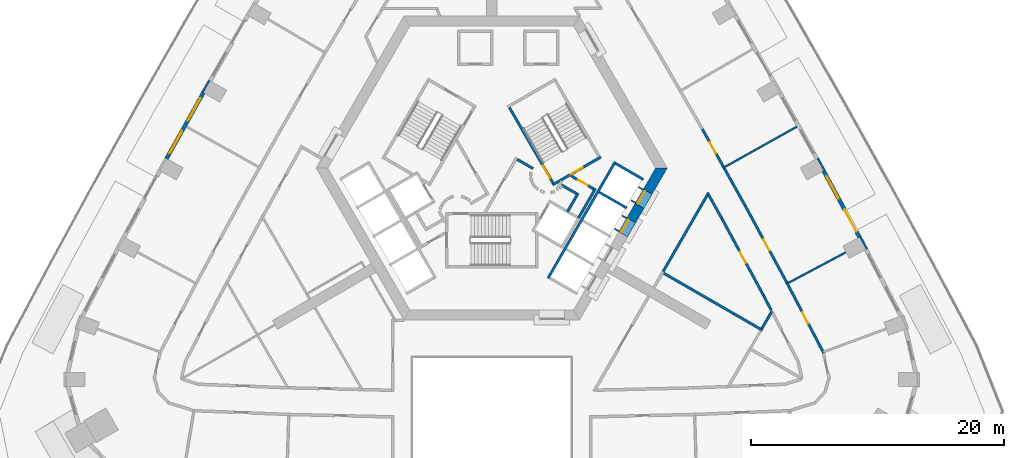
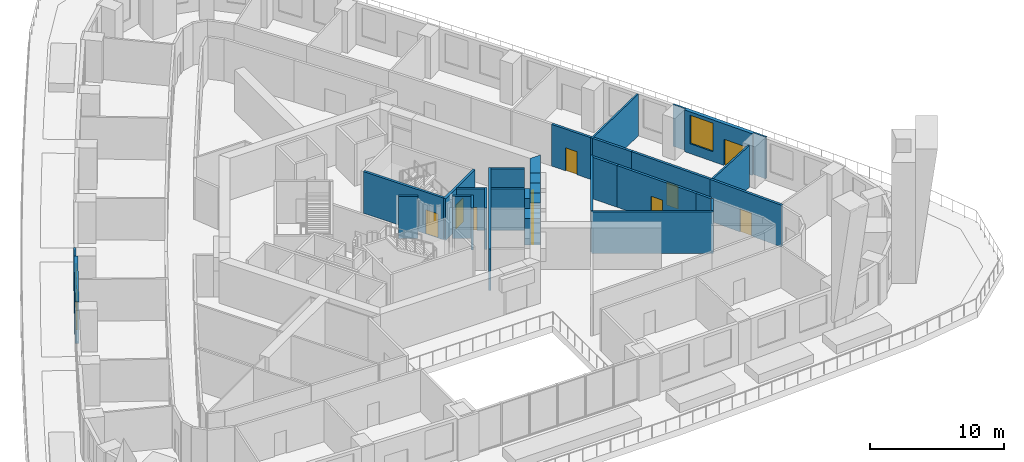
# One storey, part 8 of 16: 33 walls, 10 doors, 3 windows, 13 openings.
"""IFC4 building model written with IfcOpenShell, lengths in metres."""

from ifc_helpers import new_model, si_unit, direction, frame, frame_2d, origin, place, context, subcontext, project, spatial, polyline, rectangle, outline, extrude, material, layer, layer_set, type_object, element, fill, save


model = new_model("IFC4")

# Units and contexts
model_context = context("Model", 3, precision=1e-05, world=origin(), true_north=direction((0.0, 1.0)))
body_context = subcontext(model_context, "Body", "Model", "MODEL_VIEW")
ifc_project = project(units=[si_unit("LENGTHUNIT", "METRE"), si_unit("AREAUNIT", "SQUARE_METRE"), si_unit("VOLUMEUNIT", "CUBIC_METRE"), si_unit("PLANEANGLEUNIT", "RADIAN"), si_unit("MASSUNIT", "GRAM", prefix="KILO")], contexts=[model_context])

# Site, building, storey
site_placement = place(None, origin())
site = spatial("IfcSite", under=ifc_project, at=site_placement, CompositionType="ELEMENT")
building_placement = place(site_placement, origin())
building = spatial("IfcBuilding", under=site, at=building_placement, Name="Entoto Arch Interchange Tower", CompositionType="ELEMENT")
storey_placement = place(building_placement, frame((0.0, 0.0, 138.199951171875)))
storey = spatial("IfcBuildingStorey", under=building, at=storey_placement, Name="L30", CompositionType="ELEMENT", Elevation=138.199951171875)

# Walls
ifc_material_1 = material(Name="Concrete C50/60", Category="concrete")
ifc_layer_1 = layer(ifc_material_1, 0.800048828125)
ifc_layer_set_1 = layer_set([ifc_layer_1], Name="Concrete C50/60")
wall_type_1 = type_object("IfcWallType", Name="Core wall 800 C50/60", PredefinedType="SHEAR", material=ifc_layer_set_1)
wall_1_placement = place(storey_placement, frame((0.0, 0.0, -0.599853515625)))
element("IfcWall", 1, at=wall_1_placement, inside=storey, type_object=wall_type_1, Name="Core wall SE L30", PredefinedType="SHEAR", context=body_context, shape_type="SweptSolid", body=[
    extrude(outline(polyline([(12.01708984375, -0.68603515625), (11.323974609375, -0.285888671875), (10.675048828125, -1.410888671875), (11.366943359375, -1.81103515625), (12.01708984375, -0.68603515625)])), origin(), (0.0, 0.0, 1.0), 4.39990234375),
])
wall_2_placement = place(storey_placement, frame((0.0, 0.0, -0.599853515625)))
element("IfcWall", 2, at=wall_2_placement, inside=storey, type_object=wall_type_1, Name="Core wall SE L30", PredefinedType="SHEAR", context=body_context, shape_type="SweptSolid", body=[
    extrude(outline(polyline([(11.97412109375, 0.840087890625), (12.6669921875, 0.43994140625), (13.85595703125, 2.5), (12.93310546875, 2.5), (11.97412109375, 0.840087890625)])), origin(), (0.0, 0.0, 1.0), 4.39990234375),
])
wall_3_placement = place(storey_placement, frame((0.0, 0.0, 3.60009765625)))
element("IfcWall", 3, at=wall_3_placement, inside=storey, type_object=wall_type_1, Name="Core wall lintel SE L30", PredefinedType="SHEAR", context=body_context, shape_type="SweptSolid", body=[
    extrude(outline(polyline([(11.366943359375, -1.81103515625), (10.675048828125, -1.410888671875), (10.02490234375, -2.537109375), (10.717041015625, -2.93701171875), (11.366943359375, -1.81103515625)])), origin(), (0.0, 0.0, 1.0), 0.199951171875),
])
wall_4_placement = place(storey_placement, frame((0.0, 0.0, 3.60009765625)))
element("IfcWall", 4, at=wall_4_placement, inside=storey, type_object=wall_type_1, Name="Core wall lintel SE L30", PredefinedType="SHEAR", context=body_context, shape_type="SweptSolid", body=[
    extrude(outline(polyline([(12.6669921875, 0.43994140625), (11.97412109375, 0.840087890625), (11.323974609375, -0.285888671875), (12.01708984375, -0.68603515625), (12.6669921875, 0.43994140625)])), origin(), (0.0, 0.0, 1.0), 0.199951171875),
])

# Wall, opening, door
ifc_material_2 = material(Name="Concrete C40/50", Category="concrete")
ifc_layer_2 = layer(ifc_material_2, 1.199951171875)
ifc_layer_set_2 = layer_set([ifc_layer_2], Name="Concrete C40/50")
wall_type_2 = type_object("IfcWallType", Name="LIFT LANDING INFILL WALL", PredefinedType="STANDARD", material=ifc_layer_set_2)
wall_5_placement = place(storey_placement, frame((10.197998046875, -2.636962890625, 0.0), z_axis=(0.0, 0.0, 1.0), x_axis=(0.49989585183, 0.866085525409, 0.0)))
wall_5 = element("IfcWall", 5, at=wall_5_placement, inside=storey, type_object=wall_type_2, Name="Lift landing infill wall LR7 L30", PredefinedType="STANDARD", context=body_context, shape_type="SweptSolid", body=[
    extrude(rectangle(XDim=1.300048828125, YDim=1.199951171875, at=frame_2d((0.64990234375, 0.0))), origin(), (0.0, 0.0, 1.0), 2.400146484375),
])
opening_1_placement = place(wall_5_placement, frame((0.10009765625, 0.0, 0.0)))
opening_1 = element("IfcOpeningElement", 6, at=opening_1_placement, cuts=wall_5, Name="Opening LD-LR7-L30", PredefinedType="OPENING", context=body_context, shape_type="SweptSolid", body=[
    extrude(rectangle(XDim=1.10009765625, YDim=2.300048828125, at=frame_2d((0.550048828125, 1.14990234375))), frame((0.0, 0.60986328125, 0.0), z_axis=(0.0, -1.0, 0.0), x_axis=(1.0, 0.0, 0.0)), (0.0, 0.0, 1.0), 1.219970703125),
])
ifc_material_3 = material(Name="Stainless steel 1.4301 panels", Category="steel")
door_type_1 = type_object("IfcDoorType", Name="LIFT LANDING DOOR LD2 1100x2300", OperationType="SLIDING_TO_LEFT", PredefinedType="DOOR", material=ifc_material_3)
door_1_placement = place(opening_1_placement, origin())
door_1 = element("IfcDoor", 7, at=door_1_placement, inside=storey, type_object=door_type_1, Name="Lift landing door LR7 L30", OperationType="SLIDING_TO_LEFT", OverallHeight=2.300048828125, OverallWidth=1.10009765625, PredefinedType="DOOR", context=body_context, shape_type="SweptSolid", body=[
    extrude(rectangle(XDim=1.10009765625, YDim=2.300048828125, at=frame_2d((0.550048828125, 1.14990234375))), frame((0.0, 0.02490234375, 0.0), z_axis=(0.0, -1.0, 0.0), x_axis=(1.0, 0.0, 0.0)), (0.0, 0.0, 1.0), 0.050048828125),
])
fill(opening_1, door_1)

wall_6_placement = place(storey_placement, frame((11.498046875, -0.385009765625, 0.0), z_axis=(0.0, 0.0, 1.0), x_axis=(0.500221244143, 0.865897630733, 0.0)))
wall_6 = element("IfcWall", 8, at=wall_6_placement, inside=storey, type_object=wall_type_2, Name="Lift landing infill wall LR8 L30", PredefinedType="STANDARD", context=body_context, shape_type="SweptSolid", body=[
    extrude(rectangle(XDim=1.29931640625, YDim=1.199951171875, at=frame_2d((0.649658203125, 0.0))), origin(), (0.0, 0.0, 1.0), 2.400146484375),
])
opening_2_placement = place(wall_6_placement, frame((0.10009765625, 0.0, 0.0)))
opening_2 = element("IfcOpeningElement", 9, at=opening_2_placement, cuts=wall_6, Name="Opening LD-LR8-L30", PredefinedType="OPENING", context=body_context, shape_type="SweptSolid", body=[
    extrude(rectangle(XDim=1.10009765625, YDim=2.300048828125, at=frame_2d((0.550048828125, 1.14990234375))), frame((0.0, 0.60986328125, 0.0), z_axis=(0.0, -1.0, 0.0), x_axis=(1.0, 0.0, 0.0)), (0.0, 0.0, 1.0), 1.219970703125),
])
door_2_placement = place(opening_2_placement, origin())
door_2 = element("IfcDoor", 10, at=door_2_placement, inside=storey, type_object=door_type_1, Name="Lift landing door LR8 L30", OperationType="SLIDING_TO_LEFT", OverallHeight=2.300048828125, OverallWidth=1.10009765625, PredefinedType="DOOR", context=body_context, shape_type="SweptSolid", body=[
    extrude(rectangle(XDim=1.10009765625, YDim=2.300048828125, at=frame_2d((0.550048828125, 1.14990234375))), frame((0.0, 0.02490234375, 0.0), z_axis=(0.0, -1.0, 0.0), x_axis=(1.0, 0.0, 0.0)), (0.0, 0.0, 1.0), 0.050048828125),
])
fill(opening_2, door_2)

# Walls
ifc_layer_3 = layer(ifc_material_2, 0.199951171875)
ifc_layer_set_3 = layer_set([ifc_layer_3], Name="Concrete C40/50")
wall_type_3 = type_object("IfcWallType", Name="LIFT SHAFT WALL 200", PredefinedType="STANDARD", material=ifc_layer_set_3)
wall_7_placement = place(storey_placement, frame((4.450927734375, -6.18994140625, 0.0), z_axis=(0.0, 0.0, 1.0), x_axis=(0.50000090737, 0.866024879913, 0.0)))
element("IfcWall", 11, at=wall_7_placement, inside=storey, type_object=wall_type_3, Name="Shaft wall SE3 front", PredefinedType="STANDARD", context=body_context, shape_type="SweptSolid", body=[
    extrude(rectangle(XDim=10.60009765625, YDim=0.199951171875, at=frame_2d((5.300048828125, 0.0))), origin(), (0.0, 0.0, 1.0), 3.800048828125),
])
wall_8_placement = place(storey_placement, frame((8.488037109375, 0.60205078125, 0.0), z_axis=(0.0, 0.0, 1.0), x_axis=(0.866022959057, -0.500004234368, 0.0)))
element("IfcWall", 12, at=wall_8_placement, inside=storey, type_object=wall_type_3, Name="Shaft wall SE3 cross 4", PredefinedType="STANDARD", context=body_context, shape_type="SweptSolid", body=[
    extrude(rectangle(XDim=2.5, YDim=0.199951171875, at=frame_2d((1.25, 0.0))), origin(), (0.0, 0.0, 1.0), 3.800048828125),
])
wall_9_placement = place(storey_placement, frame((9.7880859375, 2.85302734375, 0.0), z_axis=(0.0, 0.0, 1.0), x_axis=(0.865998541277, -0.500046524342, 0.0)))
element("IfcWall", 13, at=wall_9_placement, inside=storey, type_object=wall_type_3, Name="Shaft wall SE3 cross 5", PredefinedType="STANDARD", context=body_context, shape_type="SweptSolid", body=[
    extrude(rectangle(XDim=2.499755859375, YDim=0.199951171875, at=frame_2d((1.25, 0.0))), origin(), (0.0, 0.0, 1.0), 3.800048828125),
])
ifc_material_4 = material(Name="Gypsum board partition on steel studs", Category="steel")
ifc_layer_4 = layer(ifc_material_4, 0.14990234375)
ifc_layer_set_4 = layer_set([ifc_layer_4], Name="Gypsum board partition on steel studs")
wall_type_4 = type_object("IfcWallType", Name="PARTITION 150", PredefinedType="PARTITIONING", material=ifc_layer_set_4)
wall_10_placement = place(storey_placement, frame((23.4169921875, -6.56005859375, 0.0), z_axis=(0.0, 0.0, 1.0), x_axis=(0.882784638588, 0.469777906967, 0.0)))
element("IfcWall", 14, at=wall_10_placement, inside=storey, type_object=wall_type_4, Name="wall:L30:p126", PredefinedType="PARTITIONING", context=body_context, shape_type="SweptSolid", body=[
    extrude(rectangle(XDim=5.13037109375, YDim=0.14990234375, at=frame_2d((2.565185546875, 0.0))), origin(), (0.0, 0.0, 1.0), 3.800048828125),
])
wall_11_placement = place(storey_placement, frame((18.23388671875, 2.4970703125, 0.0), z_axis=(0.0, 0.0, 1.0), x_axis=(0.872820235044, 0.4880418397, 0.0)))
element("IfcWall", 15, at=wall_11_placement, inside=storey, type_object=wall_type_4, Name="wall:L30:p127", PredefinedType="PARTITIONING", context=body_context, shape_type="SweptSolid", body=[
    extrude(rectangle(XDim=6.7001953125, YDim=0.14990234375, at=frame_2d((3.35009765625, 0.0))), origin(), (0.0, 0.0, 1.0), 3.800048828125),
])
ifc_layer_5 = layer(ifc_material_4, 0.199951171875)
ifc_layer_set_5 = layer_set([ifc_layer_5], Name="Gypsum board partition on steel studs")
wall_type_5 = type_object("IfcWallType", Name="PARTITION 200", PredefinedType="PARTITIONING", material=ifc_layer_set_5)
wall_12_placement = place(storey_placement, frame((22.06298828125, -8.717041015625, 0.0), z_axis=(0.0, 0.0, 1.0), x_axis=(-0.463776683525, 0.885952136302, 0.0)))
element("IfcWall", 16, at=wall_12_placement, inside=storey, type_object=wall_type_5, Name="wall:L30:p015", PredefinedType="PARTITIONING", context=body_context, shape_type="SweptSolid", body=[
    extrude(rectangle(XDim=1.267578125, YDim=0.199951171875, at=frame_2d((0.6337890625, 0.0))), origin(), (0.0, 0.0, 1.0), 3.800048828125),
])

# Wall, opening, door
wall_13_placement = place(storey_placement, frame((21.47509765625, -7.593994140625, 0.0), z_axis=(0.0, 0.0, 1.0), x_axis=(-0.475918691018, 0.879489283357, 0.0)))
wall_13 = element("IfcWall", 17, at=wall_13_placement, inside=storey, type_object=wall_type_5, Name="wall:L30:p016", PredefinedType="PARTITIONING", context=body_context, shape_type="SweptSolid", body=[
    extrude(rectangle(XDim=6.927978515625, YDim=0.199951171875, at=frame_2d((3.4638671875, 0.0))), origin(), (0.0, 0.0, 1.0), 3.800048828125),
])
opening_3_placement = place(wall_13_placement, frame((2.964111328125, 0.0, 0.0)))
opening_3 = element("IfcOpeningElement", 18, at=opening_3_placement, cuts=wall_13, Name="Opening L30-D20", PredefinedType="OPENING", context=body_context, shape_type="SweptSolid", body=[
    extrude(rectangle(XDim=1.0, YDim=2.10009765625, at=frame_2d((0.5, 1.050048828125))), frame((0.0, 0.10986328125, 0.0), z_axis=(0.0, -1.0, 0.0), x_axis=(1.0, 0.0, 0.0)), (0.0, 0.0, 1.0), 0.219970703125),
])
ifc_material_5 = material(Name="Timber door leaf in Steel S235 frame", Category="steel")
door_type_2 = type_object("IfcDoorType", Name="DOOR DS-10 1000x2100", OperationType="SINGLE_SWING_LEFT", PredefinedType="DOOR", material=ifc_material_5)
door_3_placement = place(opening_3_placement, origin())
door_3 = element("IfcDoor", 19, at=door_3_placement, inside=storey, type_object=door_type_2, Name="door:L30:20", OperationType="SINGLE_SWING_LEFT", OverallHeight=2.10009765625, OverallWidth=1.0, PredefinedType="DOOR", context=body_context, shape_type="SweptSolid", body=[
    extrude(rectangle(XDim=1.0, YDim=2.10009765625, at=frame_2d((0.5, 1.050048828125))), frame((0.0, 0.02490234375, 0.0), z_axis=(0.0, -1.0, 0.0), x_axis=(1.0, 0.0, 0.0)), (0.0, 0.0, 1.0), 0.050048828125),
])
fill(opening_3, door_3)

# Wall
wall_14_placement = place(storey_placement, frame((18.177978515625, -1.5009765625, 0.0), z_axis=(0.0, 0.0, 1.0), x_axis=(-0.487980809747, 0.872854357449, 0.0)))
element("IfcWall", 20, at=wall_14_placement, inside=storey, type_object=wall_type_5, Name="wall:L30:p017", PredefinedType="PARTITIONING", context=body_context, shape_type="SweptSolid", body=[
    extrude(rectangle(XDim=2.161865234375, YDim=0.199951171875, at=frame_2d((1.0810546875, 0.0))), origin(), (0.0, 0.0, 1.0), 3.800048828125),
])

# Wall, opening, door
wall_15_placement = place(storey_placement, frame((23.2939453125, -6.541015625, 0.0), z_axis=(0.0, 0.0, 1.0), x_axis=(0.463802391881, -0.885938678062, 0.0)))
wall_15 = element("IfcWall", 21, at=wall_15_placement, inside=storey, type_object=wall_type_5, Name="wall:L30:p038", PredefinedType="PARTITIONING", context=body_context, shape_type="SweptSolid", body=[
    extrude(rectangle(XDim=6.287109375, YDim=0.199951171875, at=frame_2d((3.1435546875, 0.0))), origin(), (0.0, 0.0, 1.0), 3.800048828125),
])
opening_4_placement = place(wall_15_placement, frame((2.64404296875, 0.0, 0.0)))
opening_4 = element("IfcOpeningElement", 22, at=opening_4_placement, cuts=wall_15, Name="Opening L30-D04", PredefinedType="OPENING", context=body_context, shape_type="SweptSolid", body=[
    extrude(rectangle(XDim=1.0, YDim=2.10009765625, at=frame_2d((0.5, 1.050048828125))), frame((0.0, 0.10986328125, 0.0), z_axis=(0.0, -1.0, 0.0), x_axis=(1.0, 0.0, 0.0)), (0.0, 0.0, 1.0), 0.219970703125),
])
door_4_placement = place(opening_4_placement, origin())
door_4 = element("IfcDoor", 23, at=door_4_placement, inside=storey, type_object=door_type_2, Name="door:L30:04", OperationType="SINGLE_SWING_LEFT", OverallHeight=2.10009765625, OverallWidth=1.0, PredefinedType="DOOR", context=body_context, shape_type="SweptSolid", body=[
    extrude(rectangle(XDim=1.0, YDim=2.10009765625, at=frame_2d((0.5, 1.050048828125))), frame((0.0, 0.02490234375, 0.0), z_axis=(0.0, -1.0, 0.0), x_axis=(1.0, 0.0, 0.0)), (0.0, 0.0, 1.0), 0.050048828125),
])
fill(opening_4, door_4)

# Wall
wall_16_placement = place(storey_placement, frame((18.35791015625, 2.48095703125, 0.0), z_axis=(0.0, 0.0, 1.0), x_axis=(0.48792588674, -0.872885060617, 0.0)))
element("IfcWall", 24, at=wall_16_placement, inside=storey, type_object=wall_type_5, Name="wall:L30:p039", PredefinedType="PARTITIONING", context=body_context, shape_type="SweptSolid", body=[
    extrude(rectangle(XDim=3.402587890625, YDim=0.199951171875, at=frame_2d((1.701171875, 0.0))), origin(), (0.0, 0.0, 1.0), 3.800048828125),
])

# Wall, opening, door
wall_17_placement = place(storey_placement, frame((20.01806640625, -0.489013671875, 0.0), z_axis=(0.0, 0.0, 1.0), x_axis=(0.476025981828, -0.87943121654, 0.0)))
wall_17 = element("IfcWall", 25, at=wall_17_placement, inside=storey, type_object=wall_type_5, Name="wall:L30:p040", PredefinedType="PARTITIONING", context=body_context, shape_type="SweptSolid", body=[
    extrude(rectangle(XDim=6.8818359375, YDim=0.199951171875, at=frame_2d((3.44091796875, 0.0))), origin(), (0.0, 0.0, 1.0), 3.800048828125),
])
opening_5_placement = place(wall_17_placement, frame((3.01611328125, 0.0, 0.0)))
opening_5 = element("IfcOpeningElement", 26, at=opening_5_placement, cuts=wall_17, Name="Opening L30-D05", PredefinedType="OPENING", context=body_context, shape_type="SweptSolid", body=[
    extrude(rectangle(XDim=1.0, YDim=2.10009765625, at=frame_2d((0.5, 1.050048828125))), frame((0.0, 0.10986328125, 0.0), z_axis=(0.0, -1.0, 0.0), x_axis=(1.0, 0.0, 0.0)), (0.0, 0.0, 1.0), 0.219970703125),
])
door_5_placement = place(opening_5_placement, origin())
door_5 = element("IfcDoor", 27, at=door_5_placement, inside=storey, type_object=door_type_2, Name="door:L30:05", OperationType="SINGLE_SWING_LEFT", OverallHeight=2.10009765625, OverallWidth=1.0, PredefinedType="DOOR", context=body_context, shape_type="SweptSolid", body=[
    extrude(rectangle(XDim=1.0, YDim=2.10009765625, at=frame_2d((0.5, 1.050048828125))), frame((0.0, 0.02490234375, 0.0), z_axis=(0.0, -1.0, 0.0), x_axis=(1.0, 0.0, 0.0)), (0.0, 0.0, 1.0), 0.050048828125),
])
fill(opening_5, door_5)

wall_18_placement = place(storey_placement, frame((16.6240234375, 5.58203125, 0.0), z_axis=(0.0, 0.0, 1.0), x_axis=(0.487871212611, -0.872915620152, 0.0)))
wall_18 = element("IfcWall", 28, at=wall_18_placement, inside=storey, type_object=wall_type_5, Name="wall:L30:p042", PredefinedType="PARTITIONING", context=body_context, shape_type="SweptSolid", body=[
    extrude(rectangle(XDim=3.40234375, YDim=0.199951171875, at=frame_2d((1.701171875, 0.0))), origin(), (0.0, 0.0, 1.0), 3.800048828125),
])
opening_6_placement = place(wall_18_placement, frame((1.201904296875, 0.0, 0.0)))
opening_6 = element("IfcOpeningElement", 29, at=opening_6_placement, cuts=wall_18, Name="Opening L30-D06", PredefinedType="OPENING", context=body_context, shape_type="SweptSolid", body=[
    extrude(rectangle(XDim=1.0, YDim=2.10009765625, at=frame_2d((0.5, 1.050048828125))), frame((0.0, 0.10986328125, 0.0), z_axis=(0.0, -1.0, 0.0), x_axis=(1.0, 0.0, 0.0)), (0.0, 0.0, 1.0), 0.219970703125),
])
door_6_placement = place(opening_6_placement, origin())
door_6 = element("IfcDoor", 30, at=door_6_placement, inside=storey, type_object=door_type_2, Name="door:L30:06", OperationType="SINGLE_SWING_LEFT", OverallHeight=2.10009765625, OverallWidth=1.0, PredefinedType="DOOR", context=body_context, shape_type="SweptSolid", body=[
    extrude(rectangle(XDim=1.0, YDim=2.10009765625, at=frame_2d((0.5, 1.050048828125))), frame((0.0, 0.02490234375, 0.0), z_axis=(0.0, -1.0, 0.0), x_axis=(1.0, 0.0, 0.0)), (0.0, 0.0, 1.0), 0.050048828125),
])
fill(opening_6, door_6)

# Walls
wall_19_placement = place(storey_placement, frame((5.4990234375, 1.172119140625, 0.0), z_axis=(0.0, 0.0, 1.0), x_axis=(0.866333505267, -0.499465972466, 0.0)))
element("IfcWall", 31, at=wall_19_placement, inside=storey, type_object=wall_type_5, Name="wall:L30:p075", PredefinedType="PARTITIONING", context=body_context, shape_type="SweptSolid", body=[
    extrude(rectangle(XDim=1.37353515625, YDim=0.199951171875, at=frame_2d((0.686767578125, 0.0))), origin(), (0.0, 0.0, 1.0), 3.800048828125),
])
wall_20_placement = place(storey_placement, frame((6.825927734375, 0.52197265625, 0.0), z_axis=(0.0, 0.0, 1.0), x_axis=(-0.500016722714, -0.866015748706, 0.0)))
element("IfcWall", 32, at=wall_20_placement, inside=storey, type_object=wall_type_5, Name="wall:L30:p076", PredefinedType="PARTITIONING", context=body_context, shape_type="SweptSolid", body=[
    extrude(rectangle(XDim=1.69970703125, YDim=0.199951171875, at=frame_2d((0.849853515625, 0.0))), origin(), (0.0, 0.0, 1.0), 3.800048828125),
])

# Wall, opening, door
wall_21_placement = place(storey_placement, frame((6.25, 1.89404296875, 0.0), z_axis=(0.0, 0.0, 1.0), x_axis=(0.866043184279, -0.499969202016, 0.0)))
wall_21 = element("IfcWall", 33, at=wall_21_placement, inside=storey, type_object=wall_type_5, Name="wall:L30:p077", PredefinedType="PARTITIONING", context=body_context, shape_type="SweptSolid", body=[
    extrude(rectangle(XDim=2.084228515625, YDim=0.199951171875, at=frame_2d((1.0419921875, 0.0))), origin(), (0.0, 0.0, 1.0), 3.800048828125),
])
opening_7_placement = place(wall_21_placement, frame((0.64208984375, 0.0, 0.0)))
opening_7 = element("IfcOpeningElement", 34, at=opening_7_placement, cuts=wall_21, Name="Opening L30-D35", PredefinedType="OPENING", context=body_context, shape_type="SweptSolid", body=[
    extrude(rectangle(XDim=0.89990234375, YDim=2.10009765625, at=frame_2d((0.449951171875, 1.050048828125))), frame((0.0, 0.10986328125, 0.0), z_axis=(0.0, -1.0, 0.0), x_axis=(1.0, 0.0, 0.0)), (0.0, 0.0, 1.0), 0.219970703125),
])
door_type_3 = type_object("IfcDoorType", Name="DOOR DS-09 900x2100", OperationType="SINGLE_SWING_LEFT", PredefinedType="DOOR", material=ifc_material_5)
door_7_placement = place(opening_7_placement, origin())
door_7 = element("IfcDoor", 35, at=door_7_placement, inside=storey, type_object=door_type_3, Name="door:L30:35", OperationType="SINGLE_SWING_LEFT", OverallHeight=2.10009765625, OverallWidth=0.89990234375, PredefinedType="DOOR", context=body_context, shape_type="SweptSolid", body=[
    extrude(rectangle(XDim=0.89990234375, YDim=2.10009765625, at=frame_2d((0.449951171875, 1.050048828125))), frame((0.0, 0.02490234375, 0.0), z_axis=(0.0, -1.0, 0.0), x_axis=(1.0, 0.0, 0.0)), (0.0, 0.0, 1.0), 0.050048828125),
])
fill(opening_7, door_7)

# Walls
wall_22_placement = place(storey_placement, frame((8.19189453125, 0.887939453125, 0.0), z_axis=(0.0, 0.0, 1.0), x_axis=(-0.499940625693, -0.866059680843, 0.0)))
element("IfcWall", 36, at=wall_22_placement, inside=storey, type_object=wall_type_5, Name="wall:L30:p078", PredefinedType="PARTITIONING", context=body_context, shape_type="SweptSolid", body=[
    extrude(rectangle(XDim=2.679931640625, YDim=0.199951171875, at=frame_2d((1.33984375, 0.0))), origin(), (0.0, 0.0, 1.0), 3.800048828125),
])
wall_23_placement = place(storey_placement, frame((2.011962890625, 3.18603515625, 0.0), z_axis=(0.0, 0.0, 1.0), x_axis=(0.865891012941, -0.500232699559, 0.0)))
element("IfcWall", 37, at=wall_23_placement, inside=storey, type_object=wall_type_5, Name="wall:L30:p088", PredefinedType="PARTITIONING", context=body_context, shape_type="SweptSolid", body=[
    extrude(rectangle(XDim=1.449462890625, YDim=0.199951171875, at=frame_2d((0.724609375, 0.0))), origin(), (0.0, 0.0, 1.0), 3.800048828125),
])
wall_24_placement = place(storey_placement, frame((17.1240234375, 0.56005859375, 0.0), z_axis=(0.0, 0.0, 1.0), x_axis=(-0.49996876383, -0.866043437245, 0.0)))
element("IfcWall", 38, at=wall_24_placement, inside=storey, type_object=wall_type_5, Name="wall:L30:p108", PredefinedType="PARTITIONING", context=body_context, shape_type="SweptSolid", body=[
    extrude(rectangle(XDim=7.1787109375, YDim=0.199951171875, at=frame_2d((3.58935546875, 0.0))), origin(), (0.0, 0.0, 1.0), 3.800048828125),
])
wall_25_placement = place(storey_placement, frame((13.485107421875, -5.743896484375, 0.0), z_axis=(0.0, 0.0, 1.0), x_axis=(0.865950545648, -0.500129635687, 0.0)))
element("IfcWall", 39, at=wall_25_placement, inside=storey, type_object=wall_type_5, Name="wall:L30:p109", PredefinedType="PARTITIONING", context=body_context, shape_type="SweptSolid", body=[
    extrude(rectangle(XDim=9.099609375, YDim=0.199951171875, at=frame_2d((4.5498046875, 0.0))), origin(), (0.0, 0.0, 1.0), 3.800048828125),
])
wall_26_placement = place(storey_placement, frame((22.10888671875, -8.804931640625, 0.0), z_axis=(0.0, 0.0, 1.0), x_axis=(-0.499920861661, -0.866071089505, 0.0)))
element("IfcWall", 40, at=wall_26_placement, inside=storey, type_object=wall_type_5, Name="wall:L30:p112", PredefinedType="PARTITIONING", context=body_context, shape_type="SweptSolid", body=[
    extrude(rectangle(XDim=1.562255859375, YDim=0.199951171875, at=frame_2d((0.78125, 0.0))), origin(), (0.0, 0.0, 1.0), 3.800048828125),
])

# Wall, opening, door
ifc_layer_6 = layer(ifc_material_2, 0.199951171875)
ifc_layer_set_6 = layer_set([ifc_layer_6], Name="Concrete C40/50")
wall_type_6 = type_object("IfcWallType", Name="STAIR ENCLOSURE WALL 200", PredefinedType="STANDARD", material=ifc_layer_set_6)
wall_27_placement = place(storey_placement, frame((4.805908203125, 1.176025390625, 0.0), z_axis=(0.0, 0.0, 1.0), x_axis=(0.866059941101, 0.499940174841, 0.0)))
wall_27 = element("IfcWall", 41, at=wall_27_placement, inside=storey, type_object=wall_type_6, Name="Stair wall ST-NE near", PredefinedType="STANDARD", context=body_context, shape_type="SweptSolid", body=[
    extrude(rectangle(XDim=4.400390625, YDim=0.199951171875, at=frame_2d((2.2001953125, 0.0))), origin(), (0.0, 0.0, 1.0), 3.800048828125),
])
opening_8_placement = place(wall_27_placement, frame((1.64990234375, 0.0, 0.0)))
opening_8 = element("IfcOpeningElement", 42, at=opening_8_placement, cuts=wall_27, Name="Opening SD-ST-NE-L30-E", PredefinedType="OPENING", context=body_context, shape_type="SweptSolid", body=[
    extrude(rectangle(XDim=1.10009765625, YDim=2.199951171875, at=frame_2d((0.550048828125, 1.10009765625))), frame((0.0, 0.10986328125, 0.0), z_axis=(0.0, -1.0, 0.0), x_axis=(1.0, 0.0, 0.0)), (0.0, 0.0, 1.0), 0.219970703125),
])
ifc_material_6 = material(Name="Steel S235", Category="steel")
door_type_4 = type_object("IfcDoorType", Name="STAIR DOOR SD1 1100x2200", OperationType="SINGLE_SWING_LEFT", PredefinedType="DOOR", material=ifc_material_6)
door_8_placement = place(opening_8_placement, origin())
door_8 = element("IfcDoor", 43, at=door_8_placement, inside=storey, type_object=door_type_4, Name="Stair door ST-NE L30 end", OperationType="SINGLE_SWING_LEFT", OverallHeight=2.199951171875, OverallWidth=1.10009765625, PredefinedType="DOOR", context=body_context, shape_type="SweptSolid", body=[
    extrude(rectangle(XDim=1.10009765625, YDim=2.199951171875, at=frame_2d((0.550048828125, 1.10009765625))), frame((0.0, 0.02490234375, 0.0), z_axis=(0.0, -1.0, 0.0), x_axis=(1.0, 0.0, 0.0)), (0.0, 0.0, 1.0), 0.050048828125),
])
fill(opening_8, door_8)

wall_28_placement = place(storey_placement, frame((4.843017578125, 1.31201171875, 0.0), z_axis=(0.0, 0.0, 1.0), x_axis=(-0.499963383562, 0.866046543262, 0.0)))
wall_28 = element("IfcWall", 44, at=wall_28_placement, inside=storey, type_object=wall_type_6, Name="Stair wall ST-NE hall", PredefinedType="STANDARD", context=body_context, shape_type="SweptSolid", body=[
    extrude(rectangle(XDim=6.900390625, YDim=0.199951171875, at=frame_2d((3.4501953125, 0.0))), origin(), (0.0, 0.0, 1.0), 3.800048828125),
])
opening_9_placement = place(wall_28_placement, frame((0.449951171875, 0.0, 0.0)))
opening_9 = element("IfcOpeningElement", 45, at=opening_9_placement, cuts=wall_28, Name="Opening SD-ST-NE-L30", PredefinedType="OPENING", context=body_context, shape_type="SweptSolid", body=[
    extrude(rectangle(XDim=1.10009765625, YDim=2.199951171875, at=frame_2d((0.550048828125, 1.10009765625))), frame((0.0, 0.10986328125, 0.0), z_axis=(0.0, -1.0, 0.0), x_axis=(1.0, 0.0, 0.0)), (0.0, 0.0, 1.0), 0.219970703125),
])
door_9_placement = place(opening_9_placement, origin())
door_9 = element("IfcDoor", 46, at=door_9_placement, inside=storey, type_object=door_type_4, Name="Stair door ST-NE L30", OperationType="SINGLE_SWING_LEFT", OverallHeight=2.199951171875, OverallWidth=1.10009765625, PredefinedType="DOOR", context=body_context, shape_type="SweptSolid", body=[
    extrude(rectangle(XDim=1.10009765625, YDim=2.199951171875, at=frame_2d((0.550048828125, 1.10009765625))), frame((0.0, 0.02490234375, 0.0), z_axis=(0.0, -1.0, 0.0), x_axis=(1.0, 0.0, 0.0)), (0.0, 0.0, 1.0), 0.050048828125),
])
fill(opening_9, door_9)

# Wall, openings, door, window
ifc_material_7 = material(Name="Welded tuff (ignimbrite) cladding, warm buff", Category="masonry")
ifc_layer_7 = layer(ifc_material_7, 0.300048828125)
ifc_layer_set_7 = layer_set([ifc_layer_7], Name="Welded tuff (ignimbrite) cladding, warm buff")
wall_type_7 = type_object("IfcWallType", Name="STONE INFILL WALL 300", PredefinedType="STANDARD", material=ifc_layer_set_7)
wall_29_placement = place(storey_placement, frame((29.02587890625, -2.952880859375, 0.0), z_axis=(0.0, 0.0, 1.0), x_axis=(-0.475794135288, 0.87955667289, 0.0)))
wall_29 = element("IfcWall", 47, at=wall_29_placement, inside=storey, type_object=wall_type_7, Name="Facade wall NE-02 L30", PredefinedType="STANDARD", context=body_context, shape_type="SweptSolid", body=[
    extrude(rectangle(XDim=5.95166015625, YDim=0.300048828125, at=frame_2d((2.975830078125, 0.0))), origin(), (0.0, 0.0, 1.0), 3.800048828125),
])
opening_10_placement = place(wall_29_placement, frame((0.488037109375, 0.0, 0.0)))
opening_10 = element("IfcOpeningElement", 48, at=opening_10_placement, cuts=wall_29, Name="Opening DT-NE-02-L30", PredefinedType="OPENING", context=body_context, shape_type="SweptSolid", body=[
    extrude(rectangle(XDim=2.0, YDim=2.39990234375, at=frame_2d((1.0, 1.199951171875))), frame((0.0, 0.16015625, 0.0), z_axis=(0.0, -1.0, 0.0), x_axis=(1.0, 0.0, 0.0)), (0.0, 0.0, 1.0), 0.320068359375),
])
opening_11_placement = place(wall_29_placement, frame((3.464111328125, 0.0, 0.89990234375)))
opening_11 = element("IfcOpeningElement", 49, at=opening_11_placement, cuts=wall_29, Name="Opening WO-C", PredefinedType="OPENING", context=body_context, shape_type="SweptSolid", body=[
    extrude(rectangle(XDim=2.0, YDim=2.60009765625, at=frame_2d((1.0, 1.300048828125))), frame((0.0, 0.16015625, 0.0), z_axis=(0.0, -1.0, 0.0), x_axis=(1.0, 0.0, 0.0)), (0.0, 0.0, 1.0), 0.320068359375),
])
ifc_material_8 = material(Name="Aluminium and clear glass, anodised", Category="aluminium")
door_type_5 = type_object("IfcDoorType", Name="TERRACE DOOR DT 2000x2400", OperationType="SLIDING_TO_LEFT", PredefinedType="DOOR", material=ifc_material_8)
door_10_placement = place(opening_10_placement, origin())
door_10 = element("IfcDoor", 50, at=door_10_placement, inside=storey, type_object=door_type_5, Name="Terrace door NE-02 L30", OperationType="SLIDING_TO_LEFT", OverallHeight=2.39990234375, OverallWidth=2.0, PredefinedType="DOOR", context=body_context, shape_type="SweptSolid", body=[
    extrude(rectangle(XDim=2.0, YDim=2.39990234375, at=frame_2d((1.0, 1.199951171875))), frame((0.0, 0.02490234375, 0.0), z_axis=(0.0, -1.0, 0.0), x_axis=(1.0, 0.0, 0.0)), (0.0, 0.0, 1.0), 0.050048828125),
])
fill(opening_10, door_10)
ifc_material_9 = material(Name="Clear glass, low-e double glazed", Category="glass")
window_type = type_object("IfcWindowType", Name="WINDOW WO-C 2000x2600", PartitioningType="DOUBLE_PANEL_VERTICAL", PredefinedType="WINDOW", material=ifc_material_9)
window_1_placement = place(opening_11_placement, origin())
window_1 = element("IfcWindow", 51, at=window_1_placement, inside=storey, type_object=window_type, Name="Window WO-C NE-02 L30", OverallHeight=2.60009765625, OverallWidth=2.0, PartitioningType="SINGLE_PANEL", PredefinedType="WINDOW", context=body_context, shape_type="SweptSolid", body=[
    extrude(rectangle(XDim=2.0, YDim=2.60009765625, at=frame_2d((1.0, 1.300048828125))), frame((0.0, 0.030029296875, 0.0), z_axis=(0.0, -1.0, 0.0), x_axis=(1.0, 0.0, 0.0)), (0.0, 0.0, 1.0), 0.06005859375),
])
fill(opening_11, window_1)

# Wall, openings, windows
wall_30_placement = place(storey_placement, frame((-22.760986328125, 8.43798828125, 0.0), z_axis=(0.0, 0.0, 1.0), x_axis=(-0.488009846284, -0.872838123555, 0.0)))
wall_30 = element("IfcWall", 52, at=wall_30_placement, inside=storey, type_object=wall_type_7, Name="Facade wall NW-05 L30", PredefinedType="STANDARD", context=body_context, shape_type="SweptSolid", body=[
    extrude(rectangle(XDim=5.950927734375, YDim=0.300048828125, at=frame_2d((2.9755859375, 0.0))), origin(), (0.0, 0.0, 1.0), 3.800048828125),
])
opening_12_placement = place(wall_30_placement, frame((0.488037109375, 0.0, 0.89990234375)))
opening_12 = element("IfcOpeningElement", 53, at=opening_12_placement, cuts=wall_30, Name="Opening WO-C", PredefinedType="OPENING", context=body_context, shape_type="SweptSolid", body=[
    extrude(rectangle(XDim=2.0, YDim=2.60009765625, at=frame_2d((1.0, 1.300048828125))), frame((0.0, 0.16015625, 0.0), z_axis=(0.0, -1.0, 0.0), x_axis=(1.0, 0.0, 0.0)), (0.0, 0.0, 1.0), 0.320068359375),
])
opening_13_placement = place(wall_30_placement, frame((3.462890625, 0.0, 0.89990234375)))
opening_13 = element("IfcOpeningElement", 54, at=opening_13_placement, cuts=wall_30, Name="Opening WO-C", PredefinedType="OPENING", context=body_context, shape_type="SweptSolid", body=[
    extrude(rectangle(XDim=2.0, YDim=2.60009765625, at=frame_2d((1.0, 1.300048828125))), frame((0.0, 0.16015625, 0.0), z_axis=(0.0, -1.0, 0.0), x_axis=(1.0, 0.0, 0.0)), (0.0, 0.0, 1.0), 0.320068359375),
])
window_2_placement = place(opening_12_placement, origin())
window_2 = element("IfcWindow", 55, at=window_2_placement, inside=storey, type_object=window_type, Name="Window WO-C NW-05 L30", OverallHeight=2.60009765625, OverallWidth=2.0, PartitioningType="SINGLE_PANEL", PredefinedType="WINDOW", context=body_context, shape_type="SweptSolid", body=[
    extrude(rectangle(XDim=2.0, YDim=2.60009765625, at=frame_2d((1.0, 1.300048828125))), frame((0.0, 0.030029296875, 0.0), z_axis=(0.0, -1.0, 0.0), x_axis=(1.0, 0.0, 0.0)), (0.0, 0.0, 1.0), 0.06005859375),
])
fill(opening_12, window_2)
window_3_placement = place(opening_13_placement, origin())
window_3 = element("IfcWindow", 56, at=window_3_placement, inside=storey, type_object=window_type, Name="Window WO-C NW-05 L30", OverallHeight=2.60009765625, OverallWidth=2.0, PartitioningType="SINGLE_PANEL", PredefinedType="WINDOW", context=body_context, shape_type="SweptSolid", body=[
    extrude(rectangle(XDim=2.0, YDim=2.60009765625, at=frame_2d((1.0, 1.300048828125))), frame((0.0, 0.030029296875, 0.0), z_axis=(0.0, -1.0, 0.0), x_axis=(1.0, 0.0, 0.0)), (0.0, 0.0, 1.0), 0.06005859375),
])
fill(opening_13, window_3)

# Walls
ifc_layer_8 = layer(ifc_material_7, 0.14990234375)
ifc_layer_set_8 = layer_set([ifc_layer_8], Name="Welded tuff (ignimbrite) cladding, warm buff")
wall_type_8 = type_object("IfcWallType", Name="STONE PIER CLADDING 150", PredefinedType="STANDARD", material=ifc_layer_set_8)
for number, where, z_axis, x_axis, name in (
    (57, (29.612060546875, -3.885986328125, 0.0), (0.0, 0.0, 1.0), (-0.470058271093, 0.88263538439, 0.0), "Stone pier NE02 L30"),
    (58, (26.262939453125, 2.319091796875, 0.0), (0.0, 0.0, 1.0), (-0.481850587491, 0.876253394478, 0.0), "Stone pier NE03 L30"),
):
    element("IfcWall", number, at=place(storey_placement, frame(where, z_axis=z_axis, x_axis=x_axis)), inside=storey, type_object=wall_type_8, Name=name, PredefinedType="STANDARD", context=body_context, shape_type="SweptSolid", body=[
        extrude(rectangle(XDim=1.10009765625, YDim=0.14990234375, at=frame_2d((0.550048828125, 0.0))), origin(), (0.0, 0.0, 1.0), 3.800048828125),
    ])
wall_31_placement = place(storey_placement, frame((-22.285888671875, 9.431884765625, 0.0), z_axis=(0.0, 0.0, 1.0), x_axis=(-0.494775760346, -0.869020682708, 0.0)))
element("IfcWall", 59, at=wall_31_placement, inside=storey, type_object=wall_type_8, Name="Stone pier NW05 L30", PredefinedType="STANDARD", context=body_context, shape_type="SweptSolid", body=[
    extrude(rectangle(XDim=1.099853515625, YDim=0.14990234375, at=frame_2d((0.5498046875, 0.0))), origin(), (0.0, 0.0, 1.0), 3.800048828125),
])

save(model, "model.ifc")
